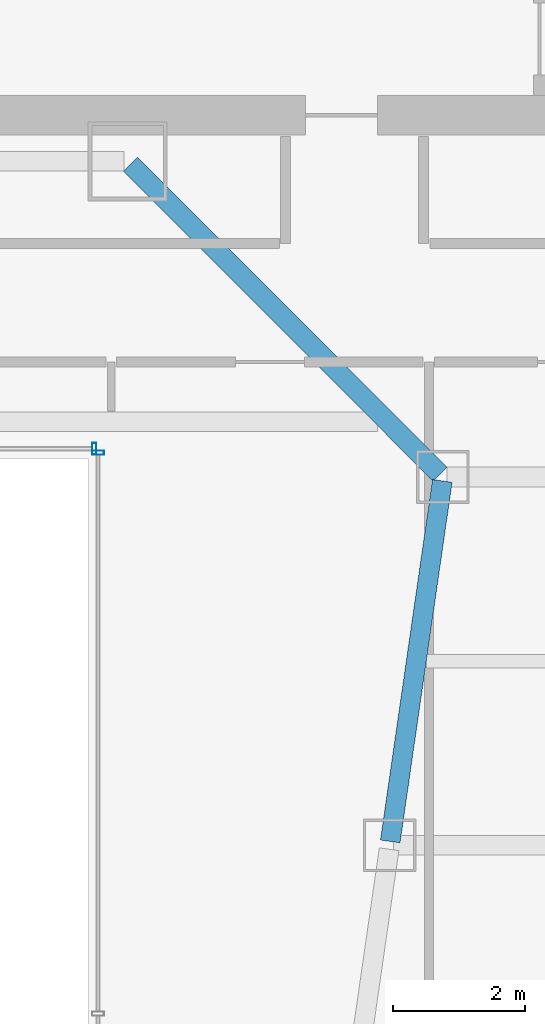
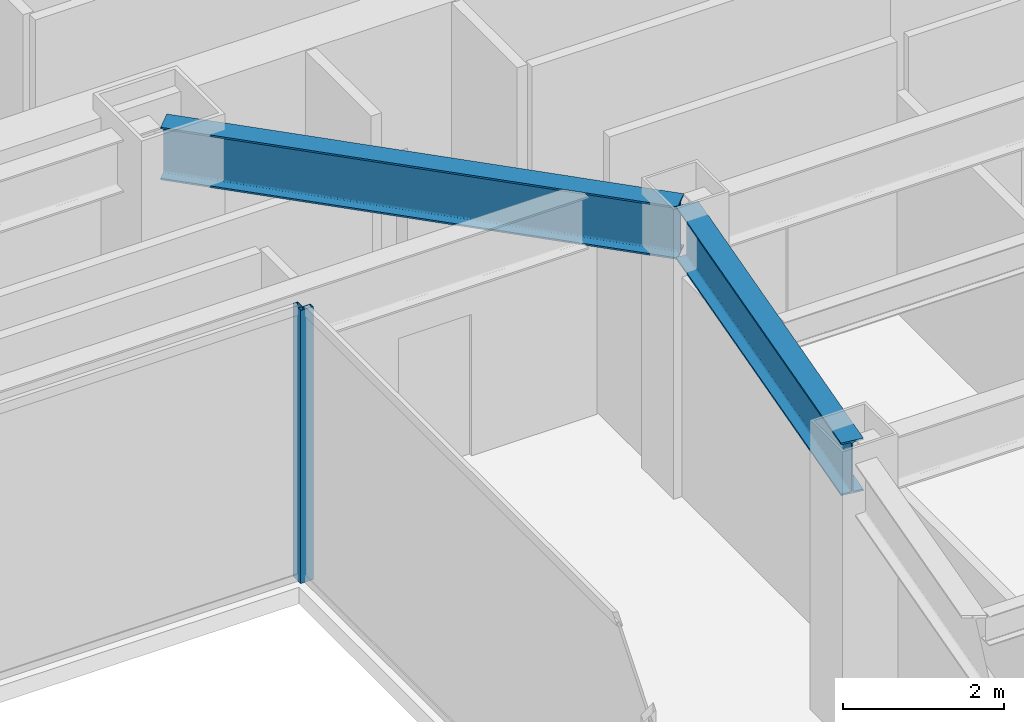
# One storey, part 29 of 47: 2 beams, 2 members, 2 elements without a shape of their own.
"""IFC4 building model written with IfcOpenShell, lengths in metres."""

from ifc_helpers import new_model, si_unit, direction, frame, origin, origin_2d, place, context, subcontext, project, spatial, hollow_rectangle, i_section, extrude, material, material_profile, profile_set, type_object, element, aggregate, save


model = new_model("IFC4")

# Units and contexts
model_context = context("Model", 3, precision=1e-05, world=origin(), true_north=direction((0.0, 1.0)))
body_context = subcontext(model_context, "Body", "Model", "MODEL_VIEW")
ifc_project = project(units=[si_unit("LENGTHUNIT", "METRE"), si_unit("AREAUNIT", "SQUARE_METRE"), si_unit("VOLUMEUNIT", "CUBIC_METRE"), si_unit("PLANEANGLEUNIT", "RADIAN"), si_unit("MASSUNIT", "GRAM", prefix="KILO")], contexts=[model_context])

# Site, building, storey
site_placement = place(None, origin())
site = spatial("IfcSite", under=ifc_project, at=site_placement, CompositionType="ELEMENT")
building_placement = place(site_placement, origin())
building = spatial("IfcBuilding", under=site, at=building_placement, Name="Saevonmaru Cultural Tower", CompositionType="ELEMENT")
storey_placement = place(building_placement, frame((0.0, 0.0, 64.800048828125)))
storey = spatial("IfcBuildingStorey", under=building, at=storey_placement, Name="L13", CompositionType="ELEMENT", Elevation=64.800048828125)

# Beams
ifc_material_1 = material(Name="Steel SM420", Category="steel")
ifc_material_profile_1 = material_profile(ifc_material_1, i_section(OverallWidth=0.300048828125, OverallDepth=0.800048828125, WebThickness=0.013916015625, FlangeThickness=0.02587890625, FilletRadius=0.028076171875, at=origin_2d()), Name="H-800x300x14x26")
ifc_profile_set_1 = profile_set([ifc_material_profile_1], Name="Steel SM420")
beam_type = type_object("IfcBeamType", Name="BM-G-H800", PredefinedType="BEAM", material=ifc_profile_set_1)
beam_1_placement = place(storey_placement, frame((40.3916015625, 32.059326171875, 3.75), z_axis=(0.142964121327, 0.989727871697, 0.0), x_axis=(-0.989727871697, 0.142964121327, 0.0)))
element("IfcBeam", 1, at=beam_1_placement, inside=storey, type_object=beam_type, Name="L13 East Atrium Girder 5", PredefinedType="BEAM", context=body_context, shape_type="SweptSolid", body=[
    extrude(i_section(OverallWidth=0.300048828125, OverallDepth=0.800048828125, WebThickness=0.013916015625, FlangeThickness=0.02587890625, FilletRadius=0.028076171875, at=origin_2d()), origin(), (0.0, 0.0, 1.0), 5.5380859375),
])
beam_2_placement = place(storey_placement, frame((41.149658203125, 37.642578125, 3.75), z_axis=(-0.706538566564, 0.707674539572, 0.0), x_axis=(-0.707674539572, -0.706538566564, 0.0)))
element("IfcBeam", 2, at=beam_2_placement, inside=storey, type_object=beam_type, Name="L13 East Atrium Girder 6", PredefinedType="BEAM", context=body_context, shape_type="SweptSolid", body=[
    extrude(i_section(OverallWidth=0.300048828125, OverallDepth=0.800048828125, WebThickness=0.013916015625, FlangeThickness=0.02587890625, FilletRadius=0.028076171875, at=origin_2d()), origin(), (0.0, 0.0, 1.0), 6.662353515625),
])

# Curtain wall, member
ifc_material_2 = material(Name="Satin Bronze Anodised Aluminium", Category="aluminium")
curtain_wall_type = type_object("IfcCurtainWallType", Name="CW-ATR-GLZ", PredefinedType="NOTDEFINED", material=ifc_material_2)
curtain_wall_1_placement = place(storey_placement, origin())
curtain_wall_1 = element("IfcCurtainWall", 3, at=curtain_wall_1_placement, inside=storey, type_object=curtain_wall_type, Name="L13 Vertical Atrium Glazed Smoke Screen 2", PredefinedType="NOTDEFINED")
ifc_material_profile_2 = material_profile(ifc_material_2, hollow_rectangle(XDim=0.06494140625, YDim=0.179931640625, WallThickness=0.00390625, at=origin_2d()), Name="ALU-MULL-180x65x4")
ifc_profile_set_2 = profile_set([ifc_material_profile_2], Name="Satin Bronze Anodised Aluminium")
member_type = type_object("IfcMemberType", Name="ML-CW-INT-180x65", PredefinedType="MULLION", material=ifc_profile_set_2)
member_1_placement = place(storey_placement, frame((35.949951171875, 37.969970703125, 0.0), z_axis=(0.0, 0.0, 1.0), x_axis=(0.0, 1.0, 0.0)))
member_1 = element("IfcMember", 4, at=member_1_placement, type_object=member_type, Name="CW-ATR-L13-2 mullion 3", PredefinedType="MULLION", context=body_context, shape_type="SweptSolid", body=[
    extrude(hollow_rectangle(XDim=0.06494140625, YDim=0.179931640625, WallThickness=0.00390625, at=origin_2d()), origin(), (0.0, 0.0, 1.0), 4.14990234375),
])
aggregate(curtain_wall_1, [member_1])

curtain_wall_2_placement = place(storey_placement, origin())
curtain_wall_2 = element("IfcCurtainWall", 5, at=curtain_wall_2_placement, inside=storey, type_object=curtain_wall_type, Name="L13 Vertical Atrium Glazed Smoke Screen 3", PredefinedType="NOTDEFINED")
member_2_placement = place(storey_placement, frame((35.889892578125, 38.030029296875, 0.0), z_axis=(0.0, 0.0, 1.0), x_axis=(-1.0, 0.0, 0.0)))
member_2 = element("IfcMember", 6, at=member_2_placement, type_object=member_type, Name="CW-ATR-L13-3 mullion 1", PredefinedType="MULLION", context=body_context, shape_type="SweptSolid", body=[
    extrude(hollow_rectangle(XDim=0.06494140625, YDim=0.179931640625, WallThickness=0.00390625, at=origin_2d()), origin(), (0.0, 0.0, 1.0), 4.14990234375),
])
aggregate(curtain_wall_2, [member_2])

save(model, "model.ifc")
